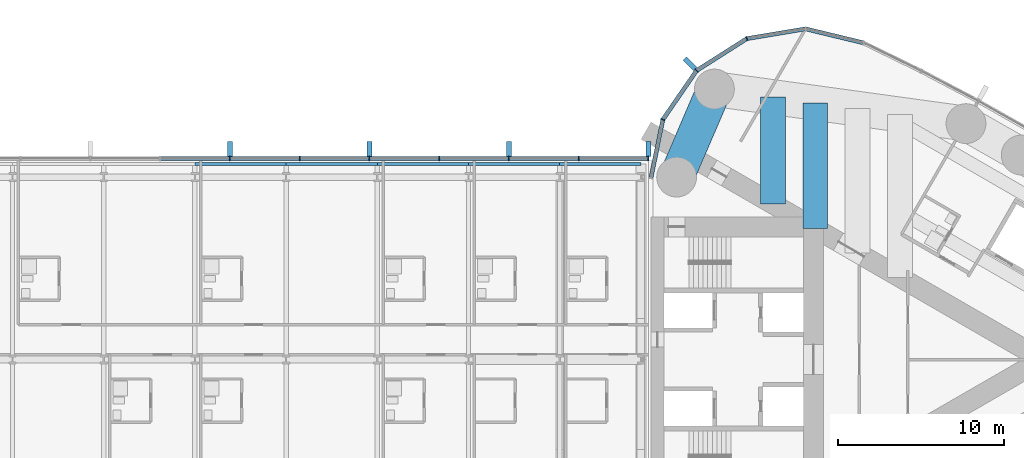
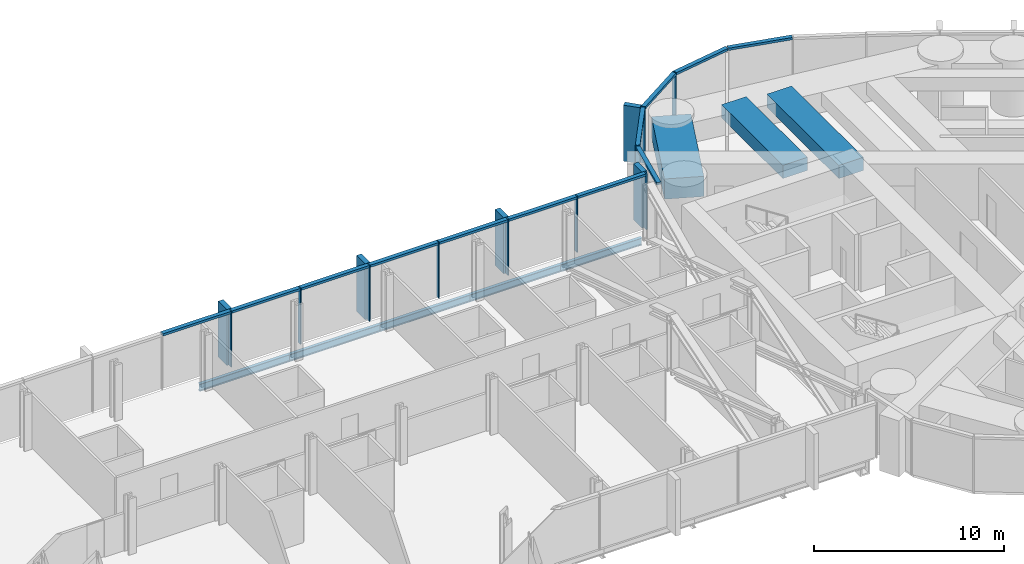
# One storey, part 11 of 24: 27 members, 8 beams, 2 elements without a shape of their own.
"""IFC4 building model written with IfcOpenShell, lengths in metres."""

from ifc_helpers import new_model, si_unit, direction, frame, origin, origin_2d, place, context, subcontext, project, spatial, rectangle, i_section, extrude, material, material_profile, profile_set, type_object, element, aggregate, save


model = new_model("IFC4")

# Units and contexts
model_context = context("Model", 3, precision=1e-05, world=origin(), true_north=direction((0.0, 1.0)))
body_context = subcontext(model_context, "Body", "Model", "MODEL_VIEW")
ifc_project = project(units=[si_unit("LENGTHUNIT", "METRE"), si_unit("AREAUNIT", "SQUARE_METRE"), si_unit("VOLUMEUNIT", "CUBIC_METRE"), si_unit("PLANEANGLEUNIT", "RADIAN"), si_unit("MASSUNIT", "GRAM", prefix="KILO")], contexts=[model_context])

# Site, building, storey
site_placement = place(None, origin())
site = spatial("IfcSite", under=ifc_project, at=site_placement, CompositionType="ELEMENT")
building_placement = place(site_placement, origin())
building = spatial("IfcBuilding", under=site, at=building_placement, Name="Lancet Gate Hotel", CompositionType="ELEMENT")
storey_placement = place(building_placement, frame((0.0, 0.0, 236.89990234375)))
storey = spatial("IfcBuildingStorey", under=building, at=storey_placement, Name="L63", CompositionType="ELEMENT", Elevation=236.89990234375)

# Curtain wall, members
ifc_material_1 = material(Name="Aluminium curtain wall", Category="aluminium")
curtain_wall_type_1 = type_object("IfcCurtainWallType", Name="Tower unitised curtain wall", PredefinedType="USERDEFINED", material=ifc_material_1)
curtain_wall_1_placement = place(storey_placement, origin())
curtain_wall_1 = element("IfcCurtainWall", 1, at=curtain_wall_1_placement, inside=storey, type_object=curtain_wall_type_1, Name="T2 L63 curtain wall 1", ObjectType="UNITISED CURTAIN WALL", PredefinedType="USERDEFINED")
ifc_material_2 = material(Name="Aluminium mullion", Category="aluminium")
ifc_material_profile_1 = material_profile(ifc_material_2, rectangle(XDim=0.06494140625, YDim=0.25, at=origin_2d()), Name="MULLION 65x250")
ifc_profile_set_1 = profile_set([ifc_material_profile_1], Name="Aluminium mullion")
member_type_1 = type_object("IfcMemberType", Name="Aluminium mullion 65x250", PredefinedType="MULLION", material=ifc_profile_set_1)
member_1_placement = place(storey_placement, frame((33.283203125, 19.353515625, 0.0), z_axis=(0.0, 0.0, 1.0), x_axis=(-0.93394321776, -0.357421412343, 0.0)))
member_1 = element("IfcMember", 2, at=member_1_placement, type_object=member_type_1, Name="T2 L63 curtain wall 1 mullion 24", PredefinedType="MULLION", context=body_context, shape_type="SweptSolid", body=[
    extrude(rectangle(XDim=0.06494140625, YDim=0.25, at=origin_2d()), origin(), (0.0, 0.0, 1.0), 3.60009765625),
])
member_2_placement = place(storey_placement, frame((30.25244140625, 17.42626953125, 0.0), z_axis=(0.0, 0.0, 1.0), x_axis=(-0.719809077627, -0.694172090886, 0.0)))
member_2 = element("IfcMember", 3, at=member_2_placement, type_object=member_type_1, Name="T2 L63 curtain wall 1 mullion 25", PredefinedType="MULLION", context=body_context, shape_type="SweptSolid", body=[
    extrude(rectangle(XDim=0.06494140625, YDim=0.25, at=origin_2d()), origin(), (0.0, 0.0, 1.0), 3.60009765625),
])
member_3_placement = place(storey_placement, frame((28.216552734375, 14.467529296875, 0.0), z_axis=(0.0, 0.0, 1.0), x_axis=(-0.391042139098, -0.920372775265, 0.0)))
member_3 = element("IfcMember", 4, at=member_3_placement, type_object=member_type_1, Name="T2 L63 curtain wall 1 mullion 26", PredefinedType="MULLION", context=body_context, shape_type="SweptSolid", body=[
    extrude(rectangle(XDim=0.06494140625, YDim=0.25, at=origin_2d()), origin(), (0.0, 0.0, 1.0), 3.60009765625),
])

ifc_material_3 = material(Name="Aluminium curtain wall", Category="aluminium")
curtain_wall_type_2 = type_object("IfcCurtainWallType", Name="Bridge block curtain wall", PredefinedType="USERDEFINED", material=ifc_material_3)
curtain_wall_2_placement = place(storey_placement, origin())
curtain_wall_2 = element("IfcCurtainWall", 5, at=curtain_wall_2_placement, inside=storey, type_object=curtain_wall_type_2, Name="Bridge block L63 curtain wall N", ObjectType="UNITISED CURTAIN WALL", PredefinedType="USERDEFINED")
member_4_placement = place(storey_placement, frame((27.35009765625, 12.1201171875, 0.0), z_axis=(0.0, 0.0, 1.0), x_axis=(-1.0, 0.0, 0.0)))
member_4 = element("IfcMember", 6, at=member_4_placement, type_object=member_type_1, Name="Bridge block L63 curtain wall N mullion 1", PredefinedType="MULLION", context=body_context, shape_type="SweptSolid", body=[
    extrude(rectangle(XDim=0.06494140625, YDim=0.25, at=origin_2d()), origin(), (0.0, 0.0, 1.0), 3.60009765625),
])
member_5_placement = place(storey_placement, frame((23.142333984375, 12.1201171875, 0.0), z_axis=(0.0, 0.0, 1.0), x_axis=(-1.0, 0.0, 0.0)))
member_5 = element("IfcMember", 7, at=member_5_placement, type_object=member_type_1, Name="Bridge block L63 curtain wall N mullion 2", PredefinedType="MULLION", context=body_context, shape_type="SweptSolid", body=[
    extrude(rectangle(XDim=0.06494140625, YDim=0.25, at=origin_2d()), origin(), (0.0, 0.0, 1.0), 3.60009765625),
])
member_6_placement = place(storey_placement, frame((18.9345703125, 12.1201171875, 0.0), z_axis=(0.0, 0.0, 1.0), x_axis=(-1.0, 0.0, 0.0)))
member_6 = element("IfcMember", 8, at=member_6_placement, type_object=member_type_1, Name="Bridge block L63 curtain wall N mullion 3", PredefinedType="MULLION", context=body_context, shape_type="SweptSolid", body=[
    extrude(rectangle(XDim=0.06494140625, YDim=0.25, at=origin_2d()), origin(), (0.0, 0.0, 1.0), 3.60009765625),
])
member_7_placement = place(storey_placement, frame((14.726806640625, 12.1201171875, 0.0), z_axis=(0.0, 0.0, 1.0), x_axis=(-1.0, 0.0, 0.0)))
member_7 = element("IfcMember", 9, at=member_7_placement, type_object=member_type_1, Name="Bridge block L63 curtain wall N mullion 4", PredefinedType="MULLION", context=body_context, shape_type="SweptSolid", body=[
    extrude(rectangle(XDim=0.06494140625, YDim=0.25, at=origin_2d()), origin(), (0.0, 0.0, 1.0), 3.60009765625),
])
member_8_placement = place(storey_placement, frame((10.519287109375, 12.1201171875, 0.0), z_axis=(0.0, 0.0, 1.0), x_axis=(-1.0, 0.0, 0.0)))
member_8 = element("IfcMember", 10, at=member_8_placement, type_object=member_type_1, Name="Bridge block L63 curtain wall N mullion 5", PredefinedType="MULLION", context=body_context, shape_type="SweptSolid", body=[
    extrude(rectangle(XDim=0.06494140625, YDim=0.25, at=origin_2d()), origin(), (0.0, 0.0, 1.0), 3.60009765625),
])
member_9_placement = place(storey_placement, frame((6.3115234375, 12.1201171875, 0.0), z_axis=(0.0, 0.0, 1.0), x_axis=(-1.0, 0.0, 0.0)))
member_9 = element("IfcMember", 11, at=member_9_placement, type_object=member_type_1, Name="Bridge block L63 curtain wall N mullion 6", PredefinedType="MULLION", context=body_context, shape_type="SweptSolid", body=[
    extrude(rectangle(XDim=0.06494140625, YDim=0.25, at=origin_2d()), origin(), (0.0, 0.0, 1.0), 3.60009765625),
])
member_10_placement = place(storey_placement, frame((2.103759765625, 12.1201171875, 0.0), z_axis=(0.0, 0.0, 1.0), x_axis=(-1.0, 0.0, 0.0)))
member_10 = element("IfcMember", 12, at=member_10_placement, type_object=member_type_1, Name="Bridge block L63 curtain wall N mullion 7", PredefinedType="MULLION", context=body_context, shape_type="SweptSolid", body=[
    extrude(rectangle(XDim=0.06494140625, YDim=0.25, at=origin_2d()), origin(), (0.0, 0.0, 1.0), 3.60009765625),
])

# Member
ifc_material_4 = material(Name="Aluminium transom", Category="aluminium")
ifc_material_profile_2 = material_profile(ifc_material_4, rectangle(XDim=0.25, YDim=0.14990234375, at=origin_2d()), Name="TRANSOM 250x150")
ifc_profile_set_2 = profile_set([ifc_material_profile_2], Name="Aluminium transom")
member_type_2 = type_object("IfcMemberType", Name="Aluminium transom 250x150", PredefinedType="USERDEFINED", material=ifc_profile_set_2)
member_11_placement = place(storey_placement, frame((40.28564453125, 19.10595703125, 3.525146484375), z_axis=(-0.972002653858, 0.234969872307, 0.0), x_axis=(-0.234969872307, -0.972002653858, 0.0)))
member_11 = element("IfcMember", 13, at=member_11_placement, type_object=member_type_2, Name="T2 L63 curtain wall 1 transom 22", ObjectType="TRANSOM", PredefinedType="USERDEFINED", context=body_context, shape_type="SweptSolid", body=[
    extrude(rectangle(XDim=0.25, YDim=0.14990234375, at=origin_2d()), origin(), (0.0, 0.0, 1.0), 3.5263671875),
])

member_12_placement = place(storey_placement, frame((36.794189453125, 19.936767578125, 3.525146484375), z_axis=(-0.986483584545, -0.163860115412, 0.0), x_axis=(0.163860115412, -0.986483584545, 0.0)))
member_12 = element("IfcMember", 14, at=member_12_placement, type_object=member_type_2, Name="T2 L63 curtain wall 1 transom 23", ObjectType="TRANSOM", PredefinedType="USERDEFINED", context=body_context, shape_type="SweptSolid", body=[
    extrude(rectangle(XDim=0.25, YDim=0.14990234375, at=origin_2d()), origin(), (0.0, 0.0, 1.0), 3.526611328125),
])

member_13_placement = place(storey_placement, frame((33.255859375, 19.336181640625, 3.525146484375), z_axis=(-0.84385811281, -0.536566384938, 0.0), x_axis=(0.536566384938, -0.84385811281, 0.0)))
member_13 = element("IfcMember", 15, at=member_13_placement, type_object=member_type_2, Name="T2 L63 curtain wall 1 transom 24", ObjectType="TRANSOM", PredefinedType="USERDEFINED", context=body_context, shape_type="SweptSolid", body=[
    extrude(rectangle(XDim=0.25, YDim=0.14990234375, at=origin_2d()), origin(), (0.0, 0.0, 1.0), 3.52685546875),
])

member_14_placement = place(storey_placement, frame((30.234130859375, 17.399658203125, 3.525146484375), z_axis=(-0.566813768052, -0.82384595183, 0.0), x_axis=(0.82384595183, -0.566813768052, 0.0)))
member_14 = element("IfcMember", 16, at=member_14_placement, type_object=member_type_2, Name="T2 L63 curtain wall 1 transom 25", ObjectType="TRANSOM", PredefinedType="USERDEFINED", context=body_context, shape_type="SweptSolid", body=[
    extrude(rectangle(XDim=0.25, YDim=0.14990234375, at=origin_2d()), origin(), (0.0, 0.0, 1.0), 3.52685546875),
])

member_15_placement = place(storey_placement, frame((28.210205078125, 14.435546875, 3.525146484375), z_axis=(-0.19952323725, -0.979893095086, 0.0), x_axis=(0.979893095086, -0.19952323725, 0.0)))
member_15 = element("IfcMember", 17, at=member_15_placement, type_object=member_type_2, Name="T2 L63 curtain wall 1 transom 26", ObjectType="TRANSOM", PredefinedType="USERDEFINED", context=body_context, shape_type="SweptSolid", body=[
    extrude(rectangle(XDim=0.25, YDim=0.14990234375, at=origin_2d()), origin(), (0.0, 0.0, 1.0), 3.5263671875),
])

member_16_placement = place(storey_placement, frame((27.3173828125, 12.1201171875, 3.525146484375), z_axis=(-1.0, 0.0, 0.0), x_axis=(0.0, -1.0, 0.0)))
member_16 = element("IfcMember", 18, at=member_16_placement, type_object=member_type_2, Name="Bridge block L63 curtain wall N transom 1", ObjectType="TRANSOM", PredefinedType="USERDEFINED", context=body_context, shape_type="SweptSolid", body=[
    extrude(rectangle(XDim=0.25, YDim=0.14990234375, at=origin_2d()), origin(), (0.0, 0.0, 1.0), 4.142578125),
])

member_17_placement = place(storey_placement, frame((23.10986328125, 12.1201171875, 3.525146484375), z_axis=(-1.0, 0.0, 0.0), x_axis=(0.0, -1.0, 0.0)))
member_17 = element("IfcMember", 19, at=member_17_placement, type_object=member_type_2, Name="Bridge block L63 curtain wall N transom 2", ObjectType="TRANSOM", PredefinedType="USERDEFINED", context=body_context, shape_type="SweptSolid", body=[
    extrude(rectangle(XDim=0.25, YDim=0.14990234375, at=origin_2d()), origin(), (0.0, 0.0, 1.0), 4.142822265625),
])

member_18_placement = place(storey_placement, frame((18.902099609375, 12.1201171875, 3.525146484375), z_axis=(-1.0, 0.0, 0.0), x_axis=(0.0, -1.0, 0.0)))
member_18 = element("IfcMember", 20, at=member_18_placement, type_object=member_type_2, Name="Bridge block L63 curtain wall N transom 3", ObjectType="TRANSOM", PredefinedType="USERDEFINED", context=body_context, shape_type="SweptSolid", body=[
    extrude(rectangle(XDim=0.25, YDim=0.14990234375, at=origin_2d()), origin(), (0.0, 0.0, 1.0), 4.142578125),
])

member_19_placement = place(storey_placement, frame((14.6943359375, 12.1201171875, 3.525146484375), z_axis=(-1.0, 0.0, 0.0), x_axis=(0.0, -1.0, 0.0)))
member_19 = element("IfcMember", 21, at=member_19_placement, type_object=member_type_2, Name="Bridge block L63 curtain wall N transom 4", ObjectType="TRANSOM", PredefinedType="USERDEFINED", context=body_context, shape_type="SweptSolid", body=[
    extrude(rectangle(XDim=0.25, YDim=0.14990234375, at=origin_2d()), origin(), (0.0, 0.0, 1.0), 4.142578125),
])

member_20_placement = place(storey_placement, frame((10.48681640625, 12.1201171875, 3.525146484375), z_axis=(-1.0, 0.0, 0.0), x_axis=(0.0, -1.0, 0.0)))
member_20 = element("IfcMember", 22, at=member_20_placement, type_object=member_type_2, Name="Bridge block L63 curtain wall N transom 5", ObjectType="TRANSOM", PredefinedType="USERDEFINED", context=body_context, shape_type="SweptSolid", body=[
    extrude(rectangle(XDim=0.25, YDim=0.14990234375, at=origin_2d()), origin(), (0.0, 0.0, 1.0), 4.142822265625),
])

member_21_placement = place(storey_placement, frame((6.279052734375, 12.1201171875, 3.525146484375), z_axis=(-1.0, 0.0, 0.0), x_axis=(0.0, -1.0, 0.0)))
member_21 = element("IfcMember", 23, at=member_21_placement, type_object=member_type_2, Name="Bridge block L63 curtain wall N transom 6", ObjectType="TRANSOM", PredefinedType="USERDEFINED", context=body_context, shape_type="SweptSolid", body=[
    extrude(rectangle(XDim=0.25, YDim=0.14990234375, at=origin_2d()), origin(), (0.0, 0.0, 1.0), 4.142822265625),
])

member_22_placement = place(storey_placement, frame((2.0712890625, 12.1201171875, 3.525146484375), z_axis=(-1.0, 0.0, 0.0), x_axis=(0.0, -1.0, 0.0)))
member_22 = element("IfcMember", 24, at=member_22_placement, type_object=member_type_2, Name="Bridge block L63 curtain wall N transom 7", ObjectType="TRANSOM", PredefinedType="USERDEFINED", context=body_context, shape_type="SweptSolid", body=[
    extrude(rectangle(XDim=0.25, YDim=0.14990234375, at=origin_2d()), origin(), (0.0, 0.0, 1.0), 4.142578125),
])

# Beams
ifc_material_5 = material(Name="Steel S355", Category="steel")
ifc_material_profile_3 = material_profile(ifc_material_5, i_section(OverallWidth=0.19140625, OverallDepth=0.4599609375, WebThickness=0.010009765625, FlangeThickness=0.01611328125, FilletRadius=0.01025390625, at=origin_2d()), Name="UKB 457x191x82")
ifc_profile_set_3 = profile_set([ifc_material_profile_3], Name="Steel S355")
beam_type_1 = type_object("IfcBeamType", Name="Block edge beam UKB 457x191x82", PredefinedType="SPANDREL", material=ifc_profile_set_3)
for number, where, z_axis, x_axis, name in (
    (25, (0.0, 11.800048828125, -0.429931640625), (1.0, 0.0, 0.0), (0.0, 1.0, 0.0), "Block edge beam N 5-6 L63"),
    (26, (5.5, 11.800048828125, -0.429931640625), (1.0, 0.0, 0.0), (0.0, 1.0, 0.0), "Block edge beam N 6-7 L63"),
    (27, (11.0, 11.800048828125, -0.429931640625), (1.0, 0.0, 0.0), (0.0, 1.0, 0.0), "Block edge beam N 7-8 L63"),
    (28, (16.5, 11.800048828125, -0.429931640625), (1.0, 0.0, 0.0), (0.0, 1.0, 0.0), "Block edge beam N 8-9 L63"),
):
    element("IfcBeam", number, at=place(storey_placement, frame(where, z_axis=z_axis, x_axis=x_axis)), inside=storey, type_object=beam_type_1, Name=name, PredefinedType="SPANDREL", context=body_context, shape_type="SweptSolid", body=[
        extrude(i_section(OverallWidth=0.19140625, OverallDepth=0.4599609375, WebThickness=0.010009765625, FlangeThickness=0.01611328125, FilletRadius=0.01025390625, at=origin_2d()), origin(), (0.0, 0.0, 1.0), 5.5),
    ])
beam_1_placement = place(storey_placement, frame((22.0, 11.800048828125, -0.429931640625), z_axis=(1.0, 0.0, 0.0), x_axis=(0.0, 1.0, 0.0)))
element("IfcBeam", 29, at=beam_1_placement, inside=storey, type_object=beam_type_1, Name="Block edge beam N 9-10 L63", PredefinedType="SPANDREL", context=body_context, shape_type="SweptSolid", body=[
    extrude(i_section(OverallWidth=0.19140625, OverallDepth=0.4599609375, WebThickness=0.010009765625, FlangeThickness=0.01611328125, FilletRadius=0.01025390625, at=origin_2d()), origin(), (0.0, 0.0, 1.0), 4.89990234375),
])
ifc_material_6 = material(Name="Concrete C50/60", Category="concrete")
ifc_material_profile_4 = material_profile(ifc_material_6, rectangle(XDim=2.10009765625, YDim=1.300048828125, at=origin_2d()), Name="RC 2100x1300")
ifc_profile_set_4 = profile_set([ifc_material_profile_4], Name="Concrete C50/60")
beam_type_2 = type_object("IfcBeamType", Name="Edge beam RC 2100x1300", PredefinedType="SPANDREL", material=ifc_profile_set_4)
beam_2_placement = place(storey_placement, frame((29.050048828125, 11.0, 2.7001953125), z_axis=(0.394250694824, 0.91900293233, 0.0), x_axis=(-0.91900293233, 0.394250694824, 0.0)))
element("IfcBeam", 30, at=beam_2_placement, inside=storey, type_object=beam_type_2, Name="T2 edge beam EB1 L63", PredefinedType="SPANDREL", context=body_context, shape_type="SweptSolid", body=[
    extrude(rectangle(XDim=2.10009765625, YDim=1.300048828125, at=origin_2d()), origin(), (0.0, 0.0, 1.0), 5.77880859375),
])

# Member
ifc_material_7 = material(Name="Precast concrete C50/60", Category="concrete")
ifc_material_profile_5 = material_profile(ifc_material_7, rectangle(XDim=0.300048828125, YDim=0.89990234375, at=origin_2d()), Name="FIN 300x900")
ifc_profile_set_5 = profile_set([ifc_material_profile_5], Name="Precast concrete C50/60")
member_type_3 = type_object("IfcMemberType", Name="Exposed concrete fin 300x900", PredefinedType="USERDEFINED", material=ifc_profile_set_5)
member_23_placement = place(storey_placement, frame((29.853271484375, 17.84033203125, 0.0), z_axis=(0.0, 0.0, 1.0), x_axis=(-0.719809077627, -0.694172090886, 0.0)))
member_23 = element("IfcMember", 31, at=member_23_placement, type_object=member_type_3, Name="T2 L63 curtain wall 1 fin 25", ObjectType="FIN", PredefinedType="USERDEFINED", context=body_context, shape_type="SweptSolid", body=[
    extrude(rectangle(XDim=0.300048828125, YDim=0.89990234375, at=origin_2d()), origin(), (0.0, 0.0, 1.0), 3.60009765625),
])

aggregate(curtain_wall_1, [member_1, member_2, member_23, member_3, member_11, member_12, member_13, member_14, member_15])

member_24_placement = place(storey_placement, frame((27.35009765625, 12.695068359375, 0.0), z_axis=(0.0, 0.0, 1.0), x_axis=(-1.0, 0.0, 0.0)))
member_24 = element("IfcMember", 32, at=member_24_placement, type_object=member_type_3, Name="Bridge block L63 curtain wall N fin 1", ObjectType="FIN", PredefinedType="USERDEFINED", context=body_context, shape_type="SweptSolid", body=[
    extrude(rectangle(XDim=0.300048828125, YDim=0.89990234375, at=origin_2d()), origin(), (0.0, 0.0, 1.0), 3.60009765625),
])

member_25_placement = place(storey_placement, frame((18.9345703125, 12.695068359375, 0.0), z_axis=(0.0, 0.0, 1.0), x_axis=(-1.0, 0.0, 0.0)))
member_25 = element("IfcMember", 33, at=member_25_placement, type_object=member_type_3, Name="Bridge block L63 curtain wall N fin 3", ObjectType="FIN", PredefinedType="USERDEFINED", context=body_context, shape_type="SweptSolid", body=[
    extrude(rectangle(XDim=0.300048828125, YDim=0.89990234375, at=origin_2d()), origin(), (0.0, 0.0, 1.0), 3.60009765625),
])

member_26_placement = place(storey_placement, frame((10.519287109375, 12.695068359375, 0.0), z_axis=(0.0, 0.0, 1.0), x_axis=(-1.0, 0.0, 0.0)))
member_26 = element("IfcMember", 34, at=member_26_placement, type_object=member_type_3, Name="Bridge block L63 curtain wall N fin 5", ObjectType="FIN", PredefinedType="USERDEFINED", context=body_context, shape_type="SweptSolid", body=[
    extrude(rectangle(XDim=0.300048828125, YDim=0.89990234375, at=origin_2d()), origin(), (0.0, 0.0, 1.0), 3.60009765625),
])

member_27_placement = place(storey_placement, frame((2.103759765625, 12.695068359375, 0.0), z_axis=(0.0, 0.0, 1.0), x_axis=(-1.0, 0.0, 0.0)))
member_27 = element("IfcMember", 35, at=member_27_placement, type_object=member_type_3, Name="Bridge block L63 curtain wall N fin 7", ObjectType="FIN", PredefinedType="USERDEFINED", context=body_context, shape_type="SweptSolid", body=[
    extrude(rectangle(XDim=0.300048828125, YDim=0.89990234375, at=origin_2d()), origin(), (0.0, 0.0, 1.0), 3.60009765625),
])

aggregate(curtain_wall_2, [member_4, member_24, member_5, member_6, member_25, member_7, member_8, member_26, member_9, member_10, member_27, member_16, member_17, member_18, member_19, member_20, member_21, member_22])

# Beams
ifc_material_8 = material(Name="Concrete C50/60", Category="concrete")
ifc_material_profile_6 = material_profile(ifc_material_8, rectangle(XDim=1.5, YDim=0.85009765625, at=origin_2d()), Name="RC 1500x850")
ifc_profile_set_6 = profile_set([ifc_material_profile_6], Name="Concrete C50/60")
beam_type_3 = type_object("IfcBeamType", Name="Floor beam RC 1500x850", PredefinedType="BEAM", material=ifc_profile_set_6)
beam_3_placement = place(storey_placement, frame((34.859619140625, 9.377685546875, 2.925048828125), z_axis=(0.0, 1.0, 0.0), x_axis=(-1.0, 0.0, 0.0)))
element("IfcBeam", 36, at=beam_3_placement, inside=storey, type_object=beam_type_3, Name="T2 floor beam F02N L63", PredefinedType="BEAM", context=body_context, shape_type="SweptSolid", body=[
    extrude(rectangle(XDim=1.5, YDim=0.85009765625, at=origin_2d()), origin(), (0.0, 0.0, 1.0), 6.44775390625),
])
beam_4_placement = place(storey_placement, frame((37.412841796875, 7.903564453125, 2.925048828125), z_axis=(0.0, 1.0, 0.0), x_axis=(-1.0, 0.0, 0.0)))
element("IfcBeam", 37, at=beam_4_placement, inside=storey, type_object=beam_type_3, Name="T2 floor beam F04N L63", PredefinedType="BEAM", context=body_context, shape_type="SweptSolid", body=[
    extrude(rectangle(XDim=1.5, YDim=0.85009765625, at=origin_2d()), origin(), (0.0, 0.0, 1.0), 7.57080078125),
])

save(model, "model.ifc")
